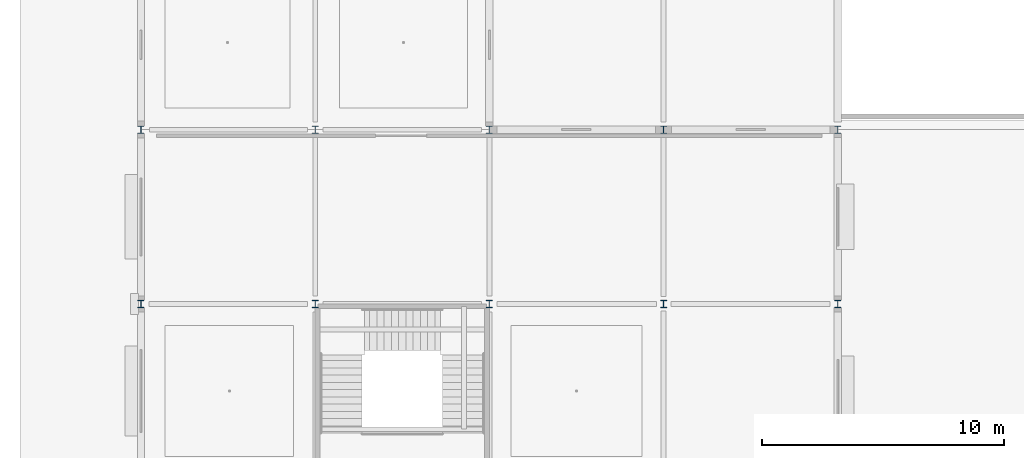
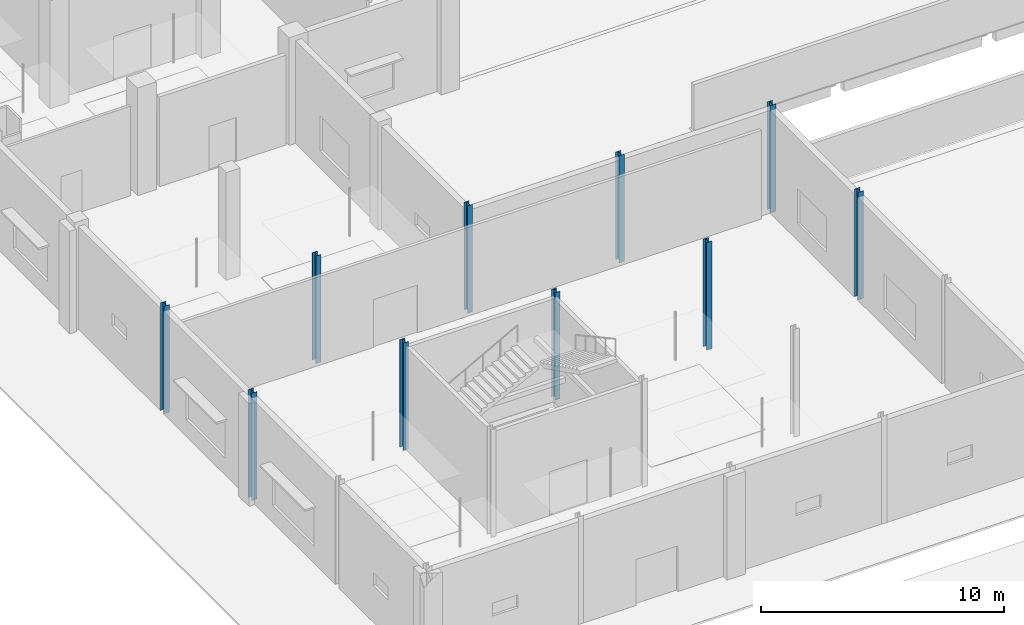
# One storey, part 2 of 90: 10 columns.
"""IFC4 building model written with IfcOpenShell, lengths in metres."""

from ifc_helpers import new_model, si_unit, direction, frame, origin, origin_2d, place, context, subcontext, project, spatial, i_section, extrude, material, material_profile, profile_set, type_object, element, save


model = new_model("IFC4")

# Units and contexts
model_context = context("Model", 3, precision=1e-05, world=origin(), true_north=direction((0.0, 1.0)))
body_context = subcontext(model_context, "Body", "Model", "MODEL_VIEW")
ifc_project = project(units=[si_unit("LENGTHUNIT", "METRE"), si_unit("AREAUNIT", "SQUARE_METRE"), si_unit("VOLUMEUNIT", "CUBIC_METRE"), si_unit("PLANEANGLEUNIT", "RADIAN"), si_unit("MASSUNIT", "GRAM", prefix="KILO")], contexts=[model_context])

# Site, building, storey
site_placement = place(None, origin())
site = spatial("IfcSite", under=ifc_project, at=site_placement, CompositionType="ELEMENT")
building_placement = place(site_placement, origin())
building = spatial("IfcBuilding", under=site, at=building_placement, Name="Kangsadwip Square Police Headquarters", CompositionType="ELEMENT")
storey_placement = place(building_placement, origin())
storey = spatial("IfcBuildingStorey", under=building, at=storey_placement, Name="L00", CompositionType="ELEMENT", Elevation=0.0)

# Columns
ifc_material = material(Name="Structural steel IS 2062 E350 (Grade 350, 350 MPa)", Category="steel")
ifc_material_profile = material_profile(ifc_material, i_section(OverallWidth=0.25, OverallDepth=0.300048828125, WebThickness=0.009521484375, FlangeThickness=0.010498046875, at=origin_2d()), Name="ISHB 300")
ifc_profile_set = profile_set([ifc_material_profile], Name="Structural steel IS 2062 E350 (Grade 350, 350 MPa)")
column_type = type_object("IfcColumnType", Name="SteelColIshb300", PredefinedType="COLUMN", material=ifc_profile_set)
for number, where, z_axis, x_axis, name in (
    (1, (0.0, 14.39990234375, 0.0), (0.0, 0.0, 1.0), (1.0, 0.0, 0.0), "Column COL-L00-00-02"),
    (2, (0.0, 21.60009765625, 0.0), (0.0, 0.0, 1.0), (1.0, 0.0, 0.0), "Column COL-L00-00-03"),
    (3, (7.199951171875, 14.39990234375, 0.0), (0.0, 0.0, 1.0), (1.0, 0.0, 0.0), "Column COL-L00-01-02"),
    (4, (7.199951171875, 21.60009765625, 0.0), (0.0, 0.0, 1.0), (1.0, 0.0, 0.0), "Column COL-L00-01-03"),
    (5, (14.39990234375, 14.39990234375, 0.0), (0.0, 0.0, 1.0), (1.0, 0.0, 0.0), "Column COL-L00-02-02"),
    (6, (14.39990234375, 21.60009765625, 0.0), (0.0, 0.0, 1.0), (1.0, 0.0, 0.0), "Column COL-L00-02-03"),
    (7, (21.60009765625, 14.39990234375, 0.0), (0.0, 0.0, 1.0), (1.0, 0.0, 0.0), "Column COL-L00-03-02"),
    (8, (21.60009765625, 21.60009765625, 0.0), (0.0, 0.0, 1.0), (1.0, 0.0, 0.0), "Column COL-L00-03-03"),
    (9, (28.800048828125, 14.39990234375, 0.0), (0.0, 0.0, 1.0), (1.0, 0.0, 0.0), "Column COL-L00-04-02"),
    (10, (28.800048828125, 21.60009765625, 0.0), (0.0, 0.0, 1.0), (1.0, 0.0, 0.0), "Column COL-L00-04-03"),
):
    element("IfcColumn", number, at=place(storey_placement, frame(where, z_axis=z_axis, x_axis=x_axis)), inside=storey, type_object=column_type, Name=name, PredefinedType="COLUMN", context=body_context, shape_type="SweptSolid", body=[
        extrude(i_section(OverallWidth=0.25, OverallDepth=0.300048828125, WebThickness=0.009521484375, FlangeThickness=0.010498046875, at=origin_2d()), origin(), (0.0, 0.0, 1.0), 5.39990234375),
    ])

save(model, "model.ifc")
